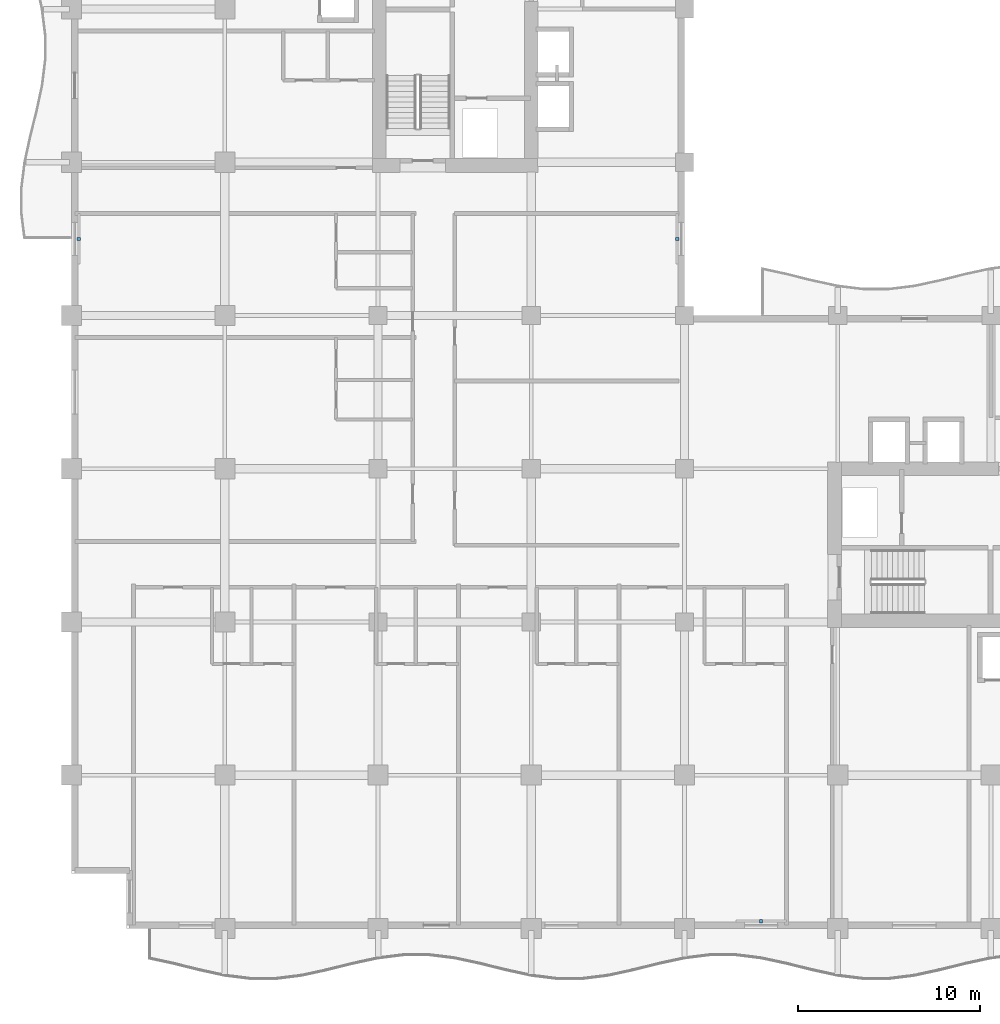
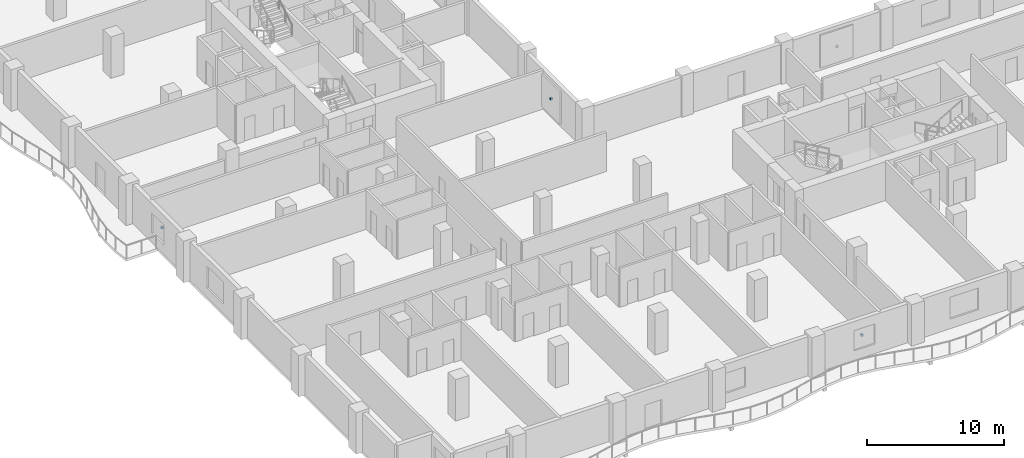
# One storey, part 11 of 16: 3 discrete accessories.
"""IFC4 building model written with IfcOpenShell, lengths in metres."""

from ifc_helpers import new_model, si_unit, direction, frame, origin, origin_2d, place, context, subcontext, project, spatial, rectangle, extrude, material, type_object, element, save


model = new_model("IFC4")

# Units and contexts
model_context = context("Model", 3, precision=1e-05, world=origin(), true_north=direction((0.0, 1.0)))
body_context = subcontext(model_context, "Body", "Model", "MODEL_VIEW")
ifc_project = project(units=[si_unit("LENGTHUNIT", "METRE"), si_unit("AREAUNIT", "SQUARE_METRE"), si_unit("VOLUMEUNIT", "CUBIC_METRE"), si_unit("PLANEANGLEUNIT", "RADIAN"), si_unit("MASSUNIT", "GRAM", prefix="KILO")], contexts=[model_context])

# Site, building, storey
site_placement = place(None, origin())
site = spatial("IfcSite", under=ifc_project, at=site_placement, CompositionType="ELEMENT")
building_placement = place(site_placement, origin())
building = spatial("IfcBuilding", under=site, at=building_placement, Name="Koriwani Terraces Tower", CompositionType="ELEMENT")
storey_placement = place(building_placement, frame((0.0, 0.0, 171.699951171875)))
storey = spatial("IfcBuildingStorey", under=building, at=storey_placement, Name="L41", CompositionType="ELEMENT", Elevation=171.699951171875)

# Discrete accessories
ifc_material = material(Name="Steel ASTM A572 Grade 50", Category="steel")
discrete_accessory_type = type_object("IfcDiscreteAccessoryType", Name="BAGUETTE_STANDOFF_BRACKET", PredefinedType="BRACKET", material=ifc_material)
for number, where, z_axis, x_axis, name in (
    (1, (0.389892578125, 37.800048828125, 1.64501953125), (0.0, 0.0, 1.0), (0.0, 1.0, 0.0), "L41 Terracotta Baguette Bracket (W-12)"),
    (2, (33.2099609375, 37.800048828125, 1.64501953125), (0.0, 0.0, 1.0), (0.0, -1.0, 0.0), "L41 Terracotta Baguette Bracket (NW_IN-2)"),
    (3, (37.800048828125, 0.389892578125, 1.64501953125), (0.0, 0.0, 1.0), (-1.0, 0.0, 0.0), "L41 Terracotta Baguette Bracket (S-12)"),
):
    element("IfcDiscreteAccessory", number, at=place(storey_placement, frame(where, z_axis=z_axis, x_axis=x_axis)), inside=storey, type_object=discrete_accessory_type, Name=name, PredefinedType="BRACKET", context=body_context, shape_type="SweptSolid", body=[
        extrude(rectangle(XDim=0.159912109375, YDim=0.199951171875, at=origin_2d()), origin(), (0.0, 0.0, 1.0), 0.179931640625),
    ])

save(model, "model.ifc")
